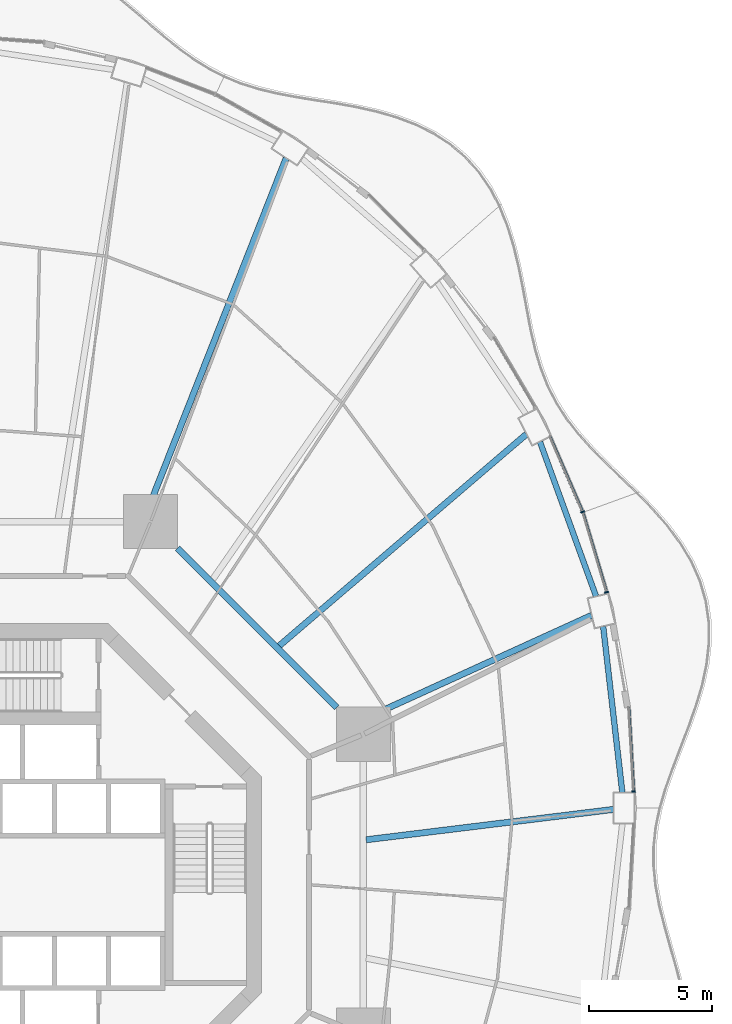
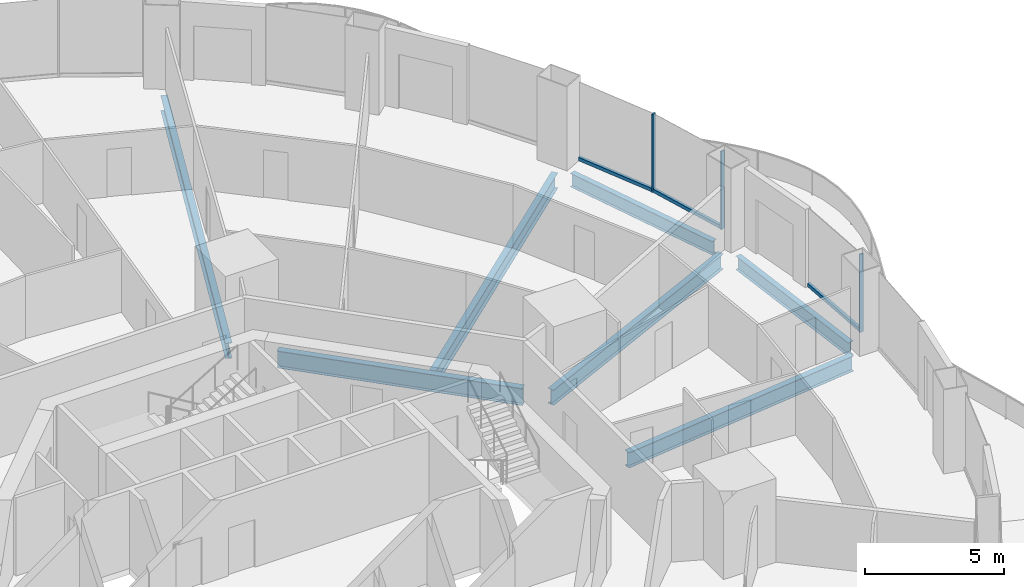
# One storey, part 10 of 22: 7 beams, 6 members, 3 elements without a shape of their own.
"""IFC4 building model written with IfcOpenShell, lengths in metres."""

from ifc_helpers import new_model, si_unit, direction, frame, origin, origin_2d, place, context, subcontext, project, spatial, rectangle, i_section, extrude, material, layer, layer_set, material_profile, profile_set, type_object, element, aggregate, save


model = new_model("IFC4")

# Units and contexts
model_context = context("Model", 3, precision=1e-05, world=origin(), true_north=direction((0.0, 1.0)))
body_context = subcontext(model_context, "Body", "Model", "MODEL_VIEW")
ifc_project = project(units=[si_unit("LENGTHUNIT", "METRE"), si_unit("AREAUNIT", "SQUARE_METRE"), si_unit("VOLUMEUNIT", "CUBIC_METRE"), si_unit("PLANEANGLEUNIT", "RADIAN"), si_unit("MASSUNIT", "GRAM", prefix="KILO")], contexts=[model_context])

# Site, building, storey
site_placement = place(None, origin())
site = spatial("IfcSite", under=ifc_project, at=site_placement, CompositionType="ELEMENT")
building_placement = place(site_placement, origin())
building = spatial("IfcBuilding", under=site, at=building_placement, Name="Nagisa Residences", CompositionType="ELEMENT")
storey_placement = place(building_placement, frame((0.0, 0.0, 77.0)))
storey = spatial("IfcBuildingStorey", under=building, at=storey_placement, Name="L18", CompositionType="ELEMENT", Elevation=77.0)

# Curtain wall, member
ifc_material_1 = material(Name="Concrete-coloured aluminium curtain wall system", Category="concrete")
ifc_layer = layer(ifc_material_1, 0.159912109375)
ifc_layer_set = layer_set([ifc_layer], Name="CW1 CURTAIN WALL")
curtain_wall_type = type_object("IfcCurtainWallType", Name="CW1 CURTAIN WALL", PredefinedType="NOTDEFINED", material=ifc_layer_set)
curtain_wall_1_placement = place(storey_placement, origin())
curtain_wall_1 = element("IfcCurtainWall", 1, at=curtain_wall_1_placement, inside=storey, type_object=curtain_wall_type, Name="cw:CW1:L18:00", PredefinedType="NOTDEFINED")
ifc_material_2 = material(Name="Concrete-coloured aluminium", Category="concrete")
ifc_material_profile_1 = material_profile(ifc_material_2, rectangle(XDim=0.159912109375, YDim=0.06005859375, at=origin_2d()), Name="CW1 MULLION 160x60")
ifc_profile_set_1 = profile_set([ifc_material_profile_1], Name="Concrete-coloured aluminium")
member_type_1 = type_object("IfcMemberType", Name="CW1 MULLION 160x60", PredefinedType="MULLION", material=ifc_profile_set_1)
member_1_placement = place(storey_placement, frame((25.776123046875, 3.7919921875, 0.0), z_axis=(0.0, 0.0, 1.0), x_axis=(-0.998345305184, -0.057503492216, 0.0)))
member_1 = element("IfcMember", 2, at=member_1_placement, type_object=member_type_1, Name="CW1 mullion", PredefinedType="MULLION", context=body_context, shape_type="SweptSolid", body=[
    extrude(rectangle(XDim=0.159912109375, YDim=0.06005859375, at=origin_2d()), origin(), (0.0, 0.0, 1.0), 3.43994140625),
])

curtain_wall_2_placement = place(storey_placement, origin())
curtain_wall_2 = element("IfcCurtainWall", 3, at=curtain_wall_2_placement, inside=storey, type_object=curtain_wall_type, Name="cw:CW1:L18:02", PredefinedType="NOTDEFINED")
member_2_placement = place(storey_placement, frame((24.68017578125, 11.903076171875, 0.0), z_axis=(0.0, 0.0, 1.0), x_axis=(-0.958271310082, -0.285860274038, 0.0)))
member_2 = element("IfcMember", 4, at=member_2_placement, type_object=member_type_1, Name="CW1 mullion", PredefinedType="MULLION", context=body_context, shape_type="SweptSolid", body=[
    extrude(rectangle(XDim=0.159912109375, YDim=0.06005859375, at=origin_2d()), origin(), (0.0, 0.0, 1.0), 3.43994140625),
])

curtain_wall_3_placement = place(storey_placement, origin())
curtain_wall_3 = element("IfcCurtainWall", 5, at=curtain_wall_3_placement, inside=storey, type_object=curtain_wall_type, Name="cw:CW1:L18:03", PredefinedType="NOTDEFINED")
member_3_placement = place(storey_placement, frame((23.701416015625, 15.173583984375, 0.0), z_axis=(0.0, 0.0, 1.0), x_axis=(-0.917543276295, -0.397635934147, 0.0)))
member_3 = element("IfcMember", 6, at=member_3_placement, type_object=member_type_1, Name="CW1 mullion", PredefinedType="MULLION", context=body_context, shape_type="SweptSolid", body=[
    extrude(rectangle(XDim=0.159912109375, YDim=0.06005859375, at=origin_2d()), origin(), (0.0, 0.0, 1.0), 3.43994140625),
])

# Member
ifc_material_3 = material(Name="Concrete-coloured aluminium", Category="concrete")
ifc_material_profile_2 = material_profile(ifc_material_3, rectangle(XDim=0.1201171875, YDim=0.14990234375, at=origin_2d()), Name="CW1 TRANSOM 120x150")
ifc_profile_set_2 = profile_set([ifc_material_profile_2], Name="Concrete-coloured aluminium")
member_type_2 = type_object("IfcMemberType", Name="CW1 TRANSOM 120x150", PredefinedType="USERDEFINED", material=ifc_profile_set_2)
member_4_placement = place(storey_placement, frame((25.77783203125, 3.761962890625, 0.074951171875), z_axis=(-0.057546644052, 0.998342818754, 0.0), x_axis=(-0.998342818754, -0.057546644052, 0.0)))
member_4 = element("IfcMember", 7, at=member_4_placement, type_object=member_type_2, Name="CW1 transom", ObjectType="TRANSOM", PredefinedType="USERDEFINED", context=body_context, shape_type="SweptSolid", body=[
    extrude(rectangle(XDim=0.1201171875, YDim=0.14990234375, at=origin_2d()), origin(), (0.0, 0.0, 1.0), 3.470458984375),
])

aggregate(curtain_wall_1, [member_1, member_4])

member_5_placement = place(storey_placement, frame((24.68896484375, 11.874267578125, 0.074951171875), z_axis=(-0.285882094477, 0.958264800594, 0.0), x_axis=(-0.958264800594, -0.285882094477, 0.0)))
member_5 = element("IfcMember", 8, at=member_5_placement, type_object=member_type_2, Name="CW1 transom", ObjectType="TRANSOM", PredefinedType="USERDEFINED", context=body_context, shape_type="SweptSolid", body=[
    extrude(rectangle(XDim=0.1201171875, YDim=0.14990234375, at=origin_2d()), origin(), (0.0, 0.0, 1.0), 3.423583984375),
])

aggregate(curtain_wall_2, [member_2, member_5])

member_6_placement = place(storey_placement, frame((23.71337890625, 15.146240234375, 0.074951171875), z_axis=(-0.397621629246, 0.917549475481, 0.0), x_axis=(-0.917549475481, -0.397621629246, 0.0)))
member_6 = element("IfcMember", 9, at=member_6_placement, type_object=member_type_2, Name="CW1 transom", ObjectType="TRANSOM", PredefinedType="USERDEFINED", context=body_context, shape_type="SweptSolid", body=[
    extrude(rectangle(XDim=0.1201171875, YDim=0.14990234375, at=origin_2d()), origin(), (0.0, 0.0, 1.0), 3.37939453125),
])

aggregate(curtain_wall_3, [member_3, member_6])

# Beams
ifc_material_4 = material(Name="Steel ASTM A572 Gr 50", Category="steel")
ifc_material_profile_3 = material_profile(ifc_material_4, i_section(OverallWidth=0.264892578125, OverallDepth=0.7529296875, WebThickness=0.01318359375, FlangeThickness=0.01708984375, at=origin_2d()), Name="W760x147")
ifc_profile_set_3 = profile_set([ifc_material_profile_3], Name="Steel ASTM A572 Gr 50")
beam_type_1 = type_object("IfcBeamType", Name="Inner ring beam W760x147", PredefinedType="BEAM", material=ifc_profile_set_3)
beam_1_placement = place(storey_placement, frame((13.6962890625, 7.208740234375, -0.636474609375), z_axis=(-0.707106781187, 0.707106781187, 0.0), x_axis=(-0.707106781187, -0.707106781187, 0.0)))
element("IfcBeam", 10, at=beam_1_placement, inside=storey, type_object=beam_type_1, Name="beam:L18:ib1", PredefinedType="BEAM", context=body_context, shape_type="SweptSolid", body=[
    extrude(i_section(OverallWidth=0.264892578125, OverallDepth=0.7529296875, WebThickness=0.01318359375, FlangeThickness=0.01708984375, at=origin_2d()), origin(), (0.0, 0.0, 1.0), 9.1748046875),
])
ifc_material_5 = material(Name="Steel ASTM A572 Gr 50", Category="steel")
ifc_material_profile_4 = material_profile(ifc_material_5, i_section(OverallWidth=0.22802734375, OverallDepth=0.60302734375, WebThickness=0.010498046875, FlangeThickness=0.014892578125, at=origin_2d()), Name="W610x101")
ifc_profile_set_4 = profile_set([ifc_material_profile_4], Name="Steel ASTM A572 Gr 50")
beam_type_2 = type_object("IfcBeamType", Name="Perimeter ring beam W610x101", PredefinedType="BEAM", material=ifc_profile_set_4)
beam_2_placement = place(storey_placement, frame((25.322265625, 3.747802734375, -0.5615234375), z_axis=(-0.114690766503, 0.993401242237, 0.0), x_axis=(-0.993401242237, -0.114690766503, 0.0)))
element("IfcBeam", 11, at=beam_2_placement, inside=storey, type_object=beam_type_2, Name="beam:L18:pb01", PredefinedType="BEAM", context=body_context, shape_type="SweptSolid", body=[
    extrude(i_section(OverallWidth=0.22802734375, OverallDepth=0.60302734375, WebThickness=0.010498046875, FlangeThickness=0.014892578125, at=origin_2d()), origin(), (0.0, 0.0, 1.0), 6.811767578125),
])
beam_3_placement = place(storey_placement, frame((24.251708984375, 11.7412109375, -0.5615234375), z_axis=(-0.341365002286, 0.939930814057, 0.0), x_axis=(-0.939930814057, -0.341365002286, 0.0)))
element("IfcBeam", 12, at=beam_3_placement, inside=storey, type_object=beam_type_2, Name="beam:L18:pb02", PredefinedType="BEAM", context=body_context, shape_type="SweptSolid", body=[
    extrude(i_section(OverallWidth=0.22802734375, OverallDepth=0.60302734375, WebThickness=0.010498046875, FlangeThickness=0.014892578125, at=origin_2d()), origin(), (0.0, 0.0, 1.0), 6.689208984375),
])
ifc_material_6 = material(Name="Steel ASTM A572 Gr 50", Category="steel")
ifc_material_profile_5 = material_profile(ifc_material_6, i_section(OverallWidth=0.2529296875, OverallDepth=0.677978515625, WebThickness=0.01171875, FlangeThickness=0.016357421875, at=origin_2d()), Name="W690x125")
ifc_profile_set_5 = profile_set([ifc_material_profile_5], Name="Steel ASTM A572 Gr 50")
beam_type_3 = type_object("IfcBeamType", Name="Radial beam W690x125", PredefinedType="BEAM", material=ifc_profile_set_5)
beam_4_placement = place(storey_placement, frame((24.96484375, 3.06494140625, -0.59912109375), z_axis=(-0.992547591761, -0.121857614, 0.0), x_axis=(0.121857614, -0.992547591761, 0.0)))
element("IfcBeam", 13, at=beam_4_placement, inside=storey, type_object=beam_type_3, Name="beam:L18:rb01", PredefinedType="BEAM", context=body_context, shape_type="SweptSolid", body=[
    extrude(i_section(OverallWidth=0.2529296875, OverallDepth=0.677978515625, WebThickness=0.01171875, FlangeThickness=0.016357421875, at=origin_2d()), origin(), (0.0, 0.0, 1.0), 10.145751953125),
])
beam_5_placement = place(storey_placement, frame((24.069091796875, 10.963134765625, -0.59912109375), z_axis=(-0.91004744246, -0.414504104288, 0.0), x_axis=(0.414504104288, -0.91004744246, 0.0)))
element("IfcBeam", 14, at=beam_5_placement, inside=storey, type_object=beam_type_3, Name="beam:L18:rb02", PredefinedType="BEAM", context=body_context, shape_type="SweptSolid", body=[
    extrude(i_section(OverallWidth=0.2529296875, OverallDepth=0.677978515625, WebThickness=0.01171875, FlangeThickness=0.016357421875, at=origin_2d()), origin(), (0.0, 0.0, 1.0), 10.544189453125),
])
beam_6_placement = place(storey_placement, frame((21.4150390625, 18.3369140625, -0.59912109375), z_axis=(-0.759585472841, -0.650407494921, 0.0), x_axis=(0.650407494921, -0.759585472841, 0.0)))
element("IfcBeam", 15, at=beam_6_placement, inside=storey, type_object=beam_type_3, Name="beam:L18:rb03", PredefinedType="BEAM", context=body_context, shape_type="SweptSolid", body=[
    extrude(i_section(OverallWidth=0.2529296875, OverallDepth=0.677978515625, WebThickness=0.01171875, FlangeThickness=0.016357421875, at=origin_2d()), origin(), (0.0, 0.0, 1.0), 13.25390625),
])
beam_7_placement = place(storey_placement, frame((11.636474609375, 29.568359375, -0.59912109375), z_axis=(-0.366203217464, -0.930534901828, 0.0), x_axis=(0.930534901828, -0.366203217464, 0.0)))
element("IfcBeam", 16, at=beam_7_placement, inside=storey, type_object=beam_type_3, Name="beam:L18:rb05", PredefinedType="BEAM", context=body_context, shape_type="SweptSolid", body=[
    extrude(i_section(OverallWidth=0.2529296875, OverallDepth=0.677978515625, WebThickness=0.01171875, FlangeThickness=0.016357421875, at=origin_2d()), origin(), (0.0, 0.0, 1.0), 15.767578125),
])

save(model, "model.ifc")
